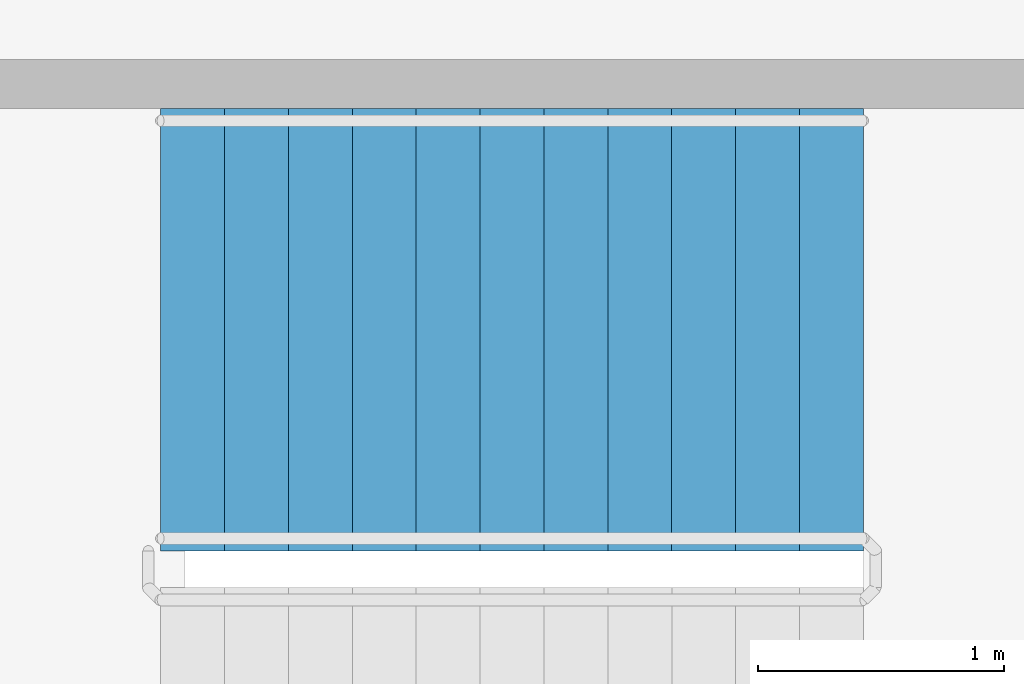
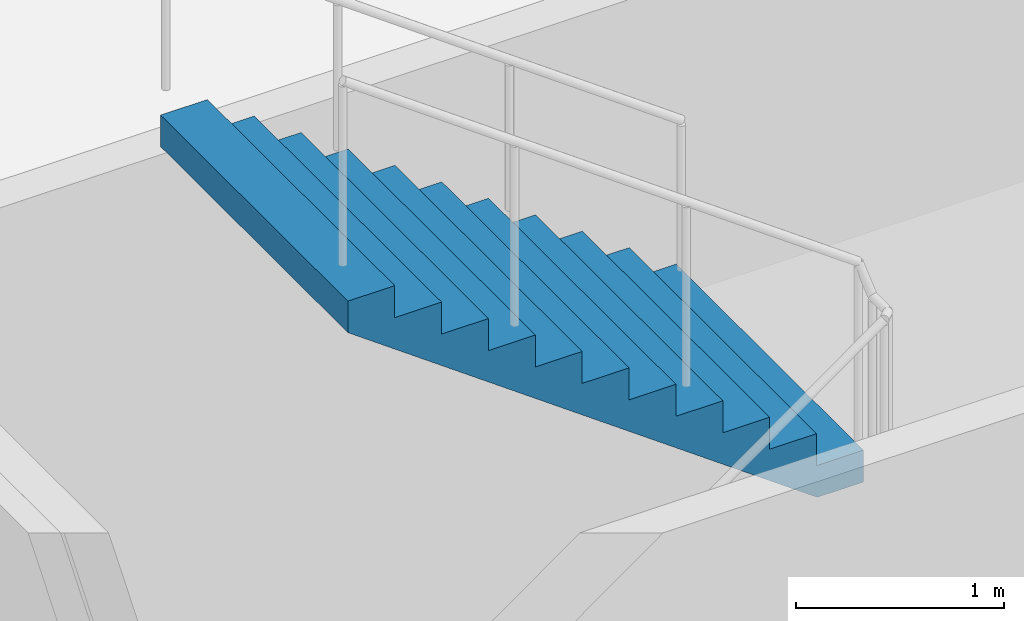
# One storey, part 39 of 51: 1 stair flight, 1 element without a shape of its own.
"""IFC4 building model written with IfcOpenShell, lengths in metres."""

from ifc_helpers import new_model, si_unit, direction, frame, origin, place, context, subcontext, project, spatial, faceted_brep, material, type_object, element, aggregate, save


model = new_model("IFC4")

# Units and contexts
model_context = context("Model", 3, precision=1e-05, world=origin(), true_north=direction((0.0, 1.0)))
body_context = subcontext(model_context, "Body", "Model", "MODEL_VIEW")
ifc_project = project(units=[si_unit("LENGTHUNIT", "METRE"), si_unit("AREAUNIT", "SQUARE_METRE"), si_unit("VOLUMEUNIT", "CUBIC_METRE"), si_unit("PLANEANGLEUNIT", "RADIAN"), si_unit("MASSUNIT", "GRAM", prefix="KILO")], contexts=[model_context])

# Site, building, storey
site_placement = place(None, origin())
site = spatial("IfcSite", under=ifc_project, at=site_placement, CompositionType="ELEMENT")
building_placement = place(site_placement, origin())
building = spatial("IfcBuilding", under=site, at=building_placement, Name="Ipe Terrace Towers", CompositionType="ELEMENT")
storey_placement = place(building_placement, frame((0.0, 0.0, 15.5)))
storey = spatial("IfcBuildingStorey", under=building, at=storey_placement, Name="L03", CompositionType="ELEMENT", Elevation=15.5)

# Stair, stair flight
ifc_material_1 = material(Name="Concrete C30/37", Category="concrete")
stair_type = type_object("IfcStairType", Name="Protected exit stair", PredefinedType="HALF_TURN_STAIR", material=ifc_material_1)
stair_placement = place(storey_placement, origin())
stair = element("IfcStair", 1, at=stair_placement, inside=storey, type_object=stair_type, Name="L03 Podium exit stair PS6", PredefinedType="HALF_TURN_STAIR")
ifc_material_2 = material(Name="Concrete C30/37", Category="concrete")
stair_flight_type = type_object("IfcStairFlightType", Name="Exit stair flight 1800", PredefinedType="STRAIGHT", material=ifc_material_2)
stair_flight_placement = place(storey_placement, frame((52.6298828125, -20.550048828125, 2.25), z_axis=(0.0, 0.0, 1.0), x_axis=(-1.0, 0.0, 0.0)))
stair_flight = element("IfcStairFlight", 2, at=stair_flight_placement, type_object=stair_flight_type, Name="PS6 flight 2", NumberOfRisers=12, NumberOfTreads=11, PredefinedType="STRAIGHT", RiserHeight=0.1875, TreadLength=0.26, context=body_context, shape_type="Brep", body=[
    faceted_brep([(0.25634765625, -0.89990234375, 0.0), (2.860107421875, -0.89990234375, 1.877685546875), (2.860107421875, -0.89990234375, 2.0625), (2.60009765625, -0.89990234375, 2.0625), (2.60009765625, -0.89990234375, 1.875), (2.340087890625, -0.89990234375, 1.875), (2.340087890625, -0.89990234375, 1.6875), (2.080078125, -0.89990234375, 1.6875), (2.080078125, -0.89990234375, 1.5), (1.820068359375, -0.89990234375, 1.5), (1.820068359375, -0.89990234375, 1.3125), (1.56005859375, -0.89990234375, 1.3125), (1.56005859375, -0.89990234375, 1.125), (1.300048828125, -0.89990234375, 1.125), (1.300048828125, -0.89990234375, 0.9375), (1.0400390625, -0.89990234375, 0.9375), (1.0400390625, -0.89990234375, 0.75), (0.780029296875, -0.89990234375, 0.75), (0.780029296875, -0.89990234375, 0.5625), (0.52001953125, -0.89990234375, 0.5625), (0.52001953125, -0.89990234375, 0.375), (0.260009765625, -0.89990234375, 0.375), (0.260009765625, -0.89990234375, 0.1875), (0.0, -0.89990234375, 0.1875), (0.0, -0.89990234375, 0.0), (0.0, 0.89990234375, 0.0), (0.0, 0.89990234375, 0.1875), (0.260009765625, 0.89990234375, 0.1875), (0.260009765625, 0.89990234375, 0.375), (0.52001953125, 0.89990234375, 0.375), (0.52001953125, 0.89990234375, 0.5625), (0.780029296875, 0.89990234375, 0.5625), (0.780029296875, 0.89990234375, 0.75), (1.0400390625, 0.89990234375, 0.75), (1.0400390625, 0.89990234375, 0.9375), (1.300048828125, 0.89990234375, 0.9375), (1.300048828125, 0.89990234375, 1.125), (1.56005859375, 0.89990234375, 1.125), (1.56005859375, 0.89990234375, 1.3125), (1.820068359375, 0.89990234375, 1.3125), (1.820068359375, 0.89990234375, 1.5), (2.080078125, 0.89990234375, 1.5), (2.080078125, 0.89990234375, 1.6875), (2.340087890625, 0.89990234375, 1.6875), (2.340087890625, 0.89990234375, 1.875), (2.60009765625, 0.89990234375, 1.875), (2.60009765625, 0.89990234375, 2.0625), (2.860107421875, 0.89990234375, 2.0625), (2.860107421875, 0.89990234375, 1.877685546875), (0.25634765625, 0.89990234375, 0.0), (0.0, -0.300048828125, 0.1875), (0.0, -0.1201171875, 0.1875), (0.0, -0.06005859375, 0.1875), (0.0, -0.030029296875, 0.1875), (0.0, -0.010009765625, 0.1875), (0.0, 0.0, 0.1875), (0.0, 0.010009765625, 0.1875), (0.0, 0.030029296875, 0.1875), (0.0, 0.06005859375, 0.1875), (0.0, 0.1201171875, 0.1875), (0.0, 0.300048828125, 0.1875), (0.0, 0.300048828125, 0.0), (0.0, 0.1201171875, 0.0), (0.0, 0.06005859375, 0.0), (0.0, 0.030029296875, 0.0), (0.0, 0.010009765625, 0.0), (0.0, 0.0, 0.0), (0.0, -0.010009765625, 0.0), (0.0, -0.030029296875, 0.0), (0.0, -0.06005859375, 0.0), (0.0, -0.1201171875, 0.0), (0.0, -0.300048828125, 0.0), (0.260009765625, -0.300048828125, 0.1875), (0.260009765625, -0.1201171875, 0.1875), (0.260009765625, -0.06005859375, 0.1875), (0.260009765625, -0.030029296875, 0.1875), (0.260009765625, -0.010009765625, 0.1875), (0.260009765625, 0.0, 0.1875), (0.260009765625, 0.010009765625, 0.1875), (0.260009765625, 0.030029296875, 0.1875), (0.260009765625, 0.06005859375, 0.1875), (0.260009765625, 0.1201171875, 0.1875), (0.260009765625, 0.300048828125, 0.1875), (0.260009765625, -0.300048828125, 0.375), (0.260009765625, -0.1201171875, 0.375), (0.260009765625, -0.06005859375, 0.375), (0.260009765625, -0.030029296875, 0.375), (0.260009765625, -0.010009765625, 0.375), (0.260009765625, 0.0, 0.375), (0.260009765625, 0.010009765625, 0.375), (0.260009765625, 0.030029296875, 0.375), (0.260009765625, 0.06005859375, 0.375), (0.260009765625, 0.1201171875, 0.375), (0.260009765625, 0.300048828125, 0.375), (0.52001953125, -0.300048828125, 0.375), (0.52001953125, -0.1201171875, 0.375), (0.52001953125, -0.06005859375, 0.375), (0.52001953125, -0.030029296875, 0.375), (0.52001953125, -0.010009765625, 0.375), (0.52001953125, 0.0, 0.375), (0.52001953125, 0.010009765625, 0.375), (0.52001953125, 0.030029296875, 0.375), (0.52001953125, 0.06005859375, 0.375), (0.52001953125, 0.1201171875, 0.375), (0.52001953125, 0.300048828125, 0.375), (0.52001953125, -0.300048828125, 0.5625), (0.52001953125, -0.1201171875, 0.5625), (0.52001953125, -0.06005859375, 0.5625), (0.52001953125, -0.030029296875, 0.5625), (0.52001953125, -0.010009765625, 0.5625), (0.52001953125, 0.0, 0.5625), (0.52001953125, 0.010009765625, 0.5625), (0.52001953125, 0.030029296875, 0.5625), (0.52001953125, 0.06005859375, 0.5625), (0.52001953125, 0.1201171875, 0.5625), (0.52001953125, 0.300048828125, 0.5625), (0.780029296875, -0.300048828125, 0.5625), (0.780029296875, -0.1201171875, 0.5625), (0.780029296875, -0.06005859375, 0.5625), (0.780029296875, -0.030029296875, 0.5625), (0.780029296875, -0.010009765625, 0.5625), (0.780029296875, 0.0, 0.5625), (0.780029296875, 0.010009765625, 0.5625), (0.780029296875, 0.030029296875, 0.5625), (0.780029296875, 0.06005859375, 0.5625), (0.780029296875, 0.1201171875, 0.5625), (0.780029296875, 0.300048828125, 0.5625), (0.780029296875, -0.300048828125, 0.75), (0.780029296875, -0.1201171875, 0.75), (0.780029296875, -0.06005859375, 0.75), (0.780029296875, -0.030029296875, 0.75), (0.780029296875, -0.010009765625, 0.75), (0.780029296875, 0.0, 0.75), (0.780029296875, 0.010009765625, 0.75), (0.780029296875, 0.030029296875, 0.75), (0.780029296875, 0.06005859375, 0.75), (0.780029296875, 0.1201171875, 0.75), (0.780029296875, 0.300048828125, 0.75), (1.0400390625, -0.300048828125, 0.75), (1.0400390625, -0.1201171875, 0.75), (1.0400390625, -0.06005859375, 0.75), (1.0400390625, -0.030029296875, 0.75), (1.0400390625, -0.010009765625, 0.75), (1.0400390625, 0.0, 0.75), (1.0400390625, 0.010009765625, 0.75), (1.0400390625, 0.030029296875, 0.75), (1.0400390625, 0.06005859375, 0.75), (1.0400390625, 0.1201171875, 0.75), (1.0400390625, 0.300048828125, 0.75), (1.0400390625, -0.300048828125, 0.9375), (1.0400390625, -0.1201171875, 0.9375), (1.0400390625, -0.06005859375, 0.9375), (1.0400390625, -0.030029296875, 0.9375), (1.0400390625, -0.010009765625, 0.9375), (1.0400390625, 0.0, 0.9375), (1.0400390625, 0.010009765625, 0.9375), (1.0400390625, 0.030029296875, 0.9375), (1.0400390625, 0.06005859375, 0.9375), (1.0400390625, 0.1201171875, 0.9375), (1.0400390625, 0.300048828125, 0.9375), (1.300048828125, -0.300048828125, 0.9375), (1.300048828125, -0.1201171875, 0.9375), (1.300048828125, -0.06005859375, 0.9375), (1.300048828125, -0.030029296875, 0.9375), (1.300048828125, -0.010009765625, 0.9375), (1.300048828125, 0.0, 0.9375), (1.300048828125, 0.010009765625, 0.9375), (1.300048828125, 0.030029296875, 0.9375), (1.300048828125, 0.06005859375, 0.9375), (1.300048828125, 0.1201171875, 0.9375), (1.300048828125, 0.300048828125, 0.9375), (1.300048828125, -0.300048828125, 1.125), (1.300048828125, -0.1201171875, 1.125), (1.300048828125, -0.06005859375, 1.125), (1.300048828125, -0.030029296875, 1.125), (1.300048828125, -0.010009765625, 1.125), (1.300048828125, 0.0, 1.125), (1.300048828125, 0.010009765625, 1.125), (1.300048828125, 0.030029296875, 1.125), (1.300048828125, 0.06005859375, 1.125), (1.300048828125, 0.1201171875, 1.125), (1.300048828125, 0.300048828125, 1.125), (1.56005859375, -0.300048828125, 1.125), (1.56005859375, -0.1201171875, 1.125), (1.56005859375, -0.06005859375, 1.125), (1.56005859375, -0.030029296875, 1.125), (1.56005859375, -0.010009765625, 1.125), (1.56005859375, 0.0, 1.125), (1.56005859375, 0.010009765625, 1.125), (1.56005859375, 0.030029296875, 1.125), (1.56005859375, 0.06005859375, 1.125), (1.56005859375, 0.1201171875, 1.125), (1.56005859375, 0.300048828125, 1.125), (1.56005859375, -0.300048828125, 1.3125), (1.56005859375, -0.1201171875, 1.3125), (1.56005859375, -0.06005859375, 1.3125), (1.56005859375, -0.030029296875, 1.3125), (1.56005859375, -0.010009765625, 1.3125), (1.56005859375, 0.0, 1.3125), (1.56005859375, 0.010009765625, 1.3125), (1.56005859375, 0.030029296875, 1.3125), (1.56005859375, 0.06005859375, 1.3125), (1.56005859375, 0.1201171875, 1.3125), (1.56005859375, 0.300048828125, 1.3125), (1.820068359375, -0.300048828125, 1.3125), (1.820068359375, -0.1201171875, 1.3125), (1.820068359375, -0.06005859375, 1.3125), (1.820068359375, -0.030029296875, 1.3125), (1.820068359375, -0.010009765625, 1.3125), (1.820068359375, 0.0, 1.3125), (1.820068359375, 0.010009765625, 1.3125), (1.820068359375, 0.030029296875, 1.3125), (1.820068359375, 0.06005859375, 1.3125), (1.820068359375, 0.1201171875, 1.3125), (1.820068359375, 0.300048828125, 1.3125), (1.820068359375, -0.300048828125, 1.5), (1.820068359375, -0.1201171875, 1.5), (1.820068359375, -0.06005859375, 1.5), (1.820068359375, -0.030029296875, 1.5), (1.820068359375, -0.010009765625, 1.5), (1.820068359375, 0.0, 1.5), (1.820068359375, 0.010009765625, 1.5), (1.820068359375, 0.030029296875, 1.5), (1.820068359375, 0.06005859375, 1.5), (1.820068359375, 0.1201171875, 1.5), (1.820068359375, 0.300048828125, 1.5), (2.080078125, -0.300048828125, 1.5), (2.080078125, -0.1201171875, 1.5), (2.080078125, -0.06005859375, 1.5), (2.080078125, -0.030029296875, 1.5), (2.080078125, -0.010009765625, 1.5), (2.080078125, 0.0, 1.5), (2.080078125, 0.010009765625, 1.5), (2.080078125, 0.030029296875, 1.5), (2.080078125, 0.06005859375, 1.5), (2.080078125, 0.1201171875, 1.5), (2.080078125, 0.300048828125, 1.5), (2.080078125, -0.300048828125, 1.6875), (2.080078125, -0.1201171875, 1.6875), (2.080078125, -0.06005859375, 1.6875), (2.080078125, -0.030029296875, 1.6875), (2.080078125, -0.010009765625, 1.6875), (2.080078125, 0.0, 1.6875), (2.080078125, 0.010009765625, 1.6875), (2.080078125, 0.030029296875, 1.6875), (2.080078125, 0.06005859375, 1.6875), (2.080078125, 0.1201171875, 1.6875), (2.080078125, 0.300048828125, 1.6875), (2.340087890625, -0.300048828125, 1.6875), (2.340087890625, -0.1201171875, 1.6875), (2.340087890625, -0.06005859375, 1.6875), (2.340087890625, -0.030029296875, 1.6875), (2.340087890625, -0.010009765625, 1.6875), (2.340087890625, 0.0, 1.6875), (2.340087890625, 0.010009765625, 1.6875), (2.340087890625, 0.030029296875, 1.6875), (2.340087890625, 0.06005859375, 1.6875), (2.340087890625, 0.1201171875, 1.6875), (2.340087890625, 0.300048828125, 1.6875), (2.340087890625, -0.300048828125, 1.875), (2.340087890625, -0.1201171875, 1.875), (2.340087890625, -0.06005859375, 1.875), (2.340087890625, -0.030029296875, 1.875), (2.340087890625, -0.010009765625, 1.875), (2.340087890625, 0.0, 1.875), (2.340087890625, 0.010009765625, 1.875), (2.340087890625, 0.030029296875, 1.875), (2.340087890625, 0.06005859375, 1.875), (2.340087890625, 0.1201171875, 1.875), (2.340087890625, 0.300048828125, 1.875), (2.60009765625, -0.300048828125, 1.875), (2.60009765625, -0.1201171875, 1.875), (2.60009765625, -0.06005859375, 1.875), (2.60009765625, -0.030029296875, 1.875), (2.60009765625, -0.010009765625, 1.875), (2.60009765625, 0.0, 1.875), (2.60009765625, 0.010009765625, 1.875), (2.60009765625, 0.030029296875, 1.875), (2.60009765625, 0.06005859375, 1.875), (2.60009765625, 0.1201171875, 1.875), (2.60009765625, 0.300048828125, 1.875), (2.60009765625, -0.300048828125, 2.0625), (2.60009765625, -0.1201171875, 2.0625), (2.60009765625, -0.06005859375, 2.0625), (2.60009765625, -0.030029296875, 2.0625), (2.60009765625, -0.010009765625, 2.0625), (2.60009765625, 0.0, 2.0625), (2.60009765625, 0.010009765625, 2.0625), (2.60009765625, 0.030029296875, 2.0625), (2.60009765625, 0.06005859375, 2.0625), (2.60009765625, 0.1201171875, 2.0625), (2.60009765625, 0.300048828125, 2.0625), (2.860107421875, -0.300048828125, 2.0625), (2.860107421875, -0.1201171875, 2.0625), (2.860107421875, -0.06005859375, 2.0625), (2.860107421875, -0.030029296875, 2.0625), (2.860107421875, -0.010009765625, 2.0625), (2.860107421875, 0.0, 2.0625), (2.860107421875, 0.010009765625, 2.0625), (2.860107421875, 0.030029296875, 2.0625), (2.860107421875, 0.06005859375, 2.0625), (2.860107421875, 0.1201171875, 2.0625), (2.860107421875, 0.300048828125, 2.0625), (2.860107421875, -0.300048828125, 1.877685546875), (2.860107421875, -0.1201171875, 1.877685546875), (2.860107421875, -0.06005859375, 1.877685546875), (2.860107421875, -0.030029296875, 1.877685546875), (2.860107421875, -0.010009765625, 1.877685546875), (2.860107421875, 0.0, 1.877685546875), (2.860107421875, 0.010009765625, 1.877685546875), (2.860107421875, 0.030029296875, 1.877685546875), (2.860107421875, 0.06005859375, 1.877685546875), (2.860107421875, 0.1201171875, 1.877685546875), (2.860107421875, 0.300048828125, 1.877685546875), (0.25634765625, -0.300048828125, 0.0), (0.25634765625, -0.1201171875, 0.0), (0.25634765625, -0.06005859375, 0.0), (0.25634765625, -0.030029296875, 0.0), (0.25634765625, -0.010009765625, 0.0), (0.25634765625, 0.0, 0.0), (0.25634765625, 0.010009765625, 0.0), (0.25634765625, 0.030029296875, 0.0), (0.25634765625, 0.06005859375, 0.0), (0.25634765625, 0.1201171875, 0.0), (0.25634765625, 0.300048828125, 0.0)], [[[0, 1, 2, 3, 4, 5, 6, 7, 8, 9, 10, 11, 12, 13, 14, 15, 16, 17, 18, 19, 20, 21, 22, 23, 24]], [[25, 26, 27, 28, 29, 30, 31, 32, 33, 34, 35, 36, 37, 38, 39, 40, 41, 42, 43, 44, 45, 46, 47, 48, 49]], [[23, 50, 51, 52, 53, 54, 55, 56, 57, 58, 59, 60, 26, 25, 61, 62, 63, 64, 65, 66, 67, 68, 69, 70, 71, 24]], [[22, 72, 73, 74, 75, 76, 77, 78, 79, 80, 81, 82, 27, 26, 60, 59, 58, 57, 56, 55, 54, 53, 52, 51, 50, 23]], [[21, 83, 84, 85, 86, 87, 88, 89, 90, 91, 92, 93, 28, 27, 82, 81, 80, 79, 78, 77, 76, 75, 74, 73, 72, 22]], [[20, 94, 95, 96, 97, 98, 99, 100, 101, 102, 103, 104, 29, 28, 93, 92, 91, 90, 89, 88, 87, 86, 85, 84, 83, 21]], [[19, 105, 106, 107, 108, 109, 110, 111, 112, 113, 114, 115, 30, 29, 104, 103, 102, 101, 100, 99, 98, 97, 96, 95, 94, 20]], [[18, 116, 117, 118, 119, 120, 121, 122, 123, 124, 125, 126, 31, 30, 115, 114, 113, 112, 111, 110, 109, 108, 107, 106, 105, 19]], [[17, 127, 128, 129, 130, 131, 132, 133, 134, 135, 136, 137, 32, 31, 126, 125, 124, 123, 122, 121, 120, 119, 118, 117, 116, 18]], [[16, 138, 139, 140, 141, 142, 143, 144, 145, 146, 147, 148, 33, 32, 137, 136, 135, 134, 133, 132, 131, 130, 129, 128, 127, 17]], [[15, 149, 150, 151, 152, 153, 154, 155, 156, 157, 158, 159, 34, 33, 148, 147, 146, 145, 144, 143, 142, 141, 140, 139, 138, 16]], [[14, 160, 161, 162, 163, 164, 165, 166, 167, 168, 169, 170, 35, 34, 159, 158, 157, 156, 155, 154, 153, 152, 151, 150, 149, 15]], [[13, 171, 172, 173, 174, 175, 176, 177, 178, 179, 180, 181, 36, 35, 170, 169, 168, 167, 166, 165, 164, 163, 162, 161, 160, 14]], [[12, 182, 183, 184, 185, 186, 187, 188, 189, 190, 191, 192, 37, 36, 181, 180, 179, 178, 177, 176, 175, 174, 173, 172, 171, 13]], [[11, 193, 194, 195, 196, 197, 198, 199, 200, 201, 202, 203, 38, 37, 192, 191, 190, 189, 188, 187, 186, 185, 184, 183, 182, 12]], [[10, 204, 205, 206, 207, 208, 209, 210, 211, 212, 213, 214, 39, 38, 203, 202, 201, 200, 199, 198, 197, 196, 195, 194, 193, 11]], [[9, 215, 216, 217, 218, 219, 220, 221, 222, 223, 224, 225, 40, 39, 214, 213, 212, 211, 210, 209, 208, 207, 206, 205, 204, 10]], [[8, 226, 227, 228, 229, 230, 231, 232, 233, 234, 235, 236, 41, 40, 225, 224, 223, 222, 221, 220, 219, 218, 217, 216, 215, 9]], [[7, 237, 238, 239, 240, 241, 242, 243, 244, 245, 246, 247, 42, 41, 236, 235, 234, 233, 232, 231, 230, 229, 228, 227, 226, 8]], [[6, 248, 249, 250, 251, 252, 253, 254, 255, 256, 257, 258, 43, 42, 247, 246, 245, 244, 243, 242, 241, 240, 239, 238, 237, 7]], [[5, 259, 260, 261, 262, 263, 264, 265, 266, 267, 268, 269, 44, 43, 258, 257, 256, 255, 254, 253, 252, 251, 250, 249, 248, 6]], [[4, 270, 271, 272, 273, 274, 275, 276, 277, 278, 279, 280, 45, 44, 269, 268, 267, 266, 265, 264, 263, 262, 261, 260, 259, 5]], [[3, 281, 282, 283, 284, 285, 286, 287, 288, 289, 290, 291, 46, 45, 280, 279, 278, 277, 276, 275, 274, 273, 272, 271, 270, 4]], [[2, 292, 293, 294, 295, 296, 297, 298, 299, 300, 301, 302, 47, 46, 291, 290, 289, 288, 287, 286, 285, 284, 283, 282, 281, 3]], [[1, 303, 304, 305, 306, 307, 308, 309, 310, 311, 312, 313, 48, 47, 302, 301, 300, 299, 298, 297, 296, 295, 294, 293, 292, 2]], [[0, 314, 315, 316, 317, 318, 319, 320, 321, 322, 323, 324, 49, 48, 313, 312, 311, 310, 309, 308, 307, 306, 305, 304, 303, 1]], [[24, 71, 70, 69, 68, 67, 66, 65, 64, 63, 62, 61, 25, 49, 324, 323, 322, 321, 320, 319, 318, 317, 316, 315, 314, 0]]]),
])
aggregate(stair, [stair_flight])

save(model, "model.ifc")
